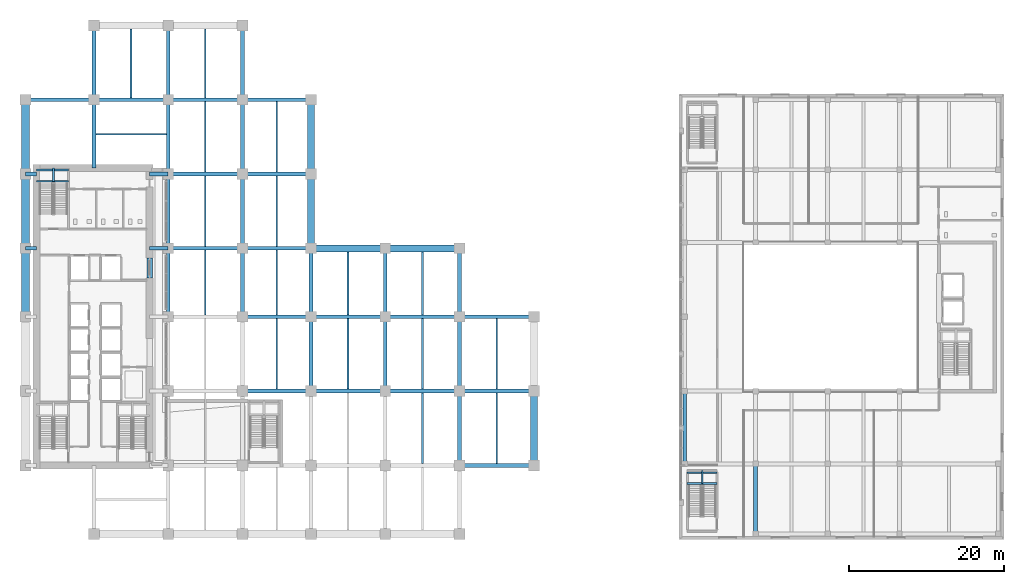
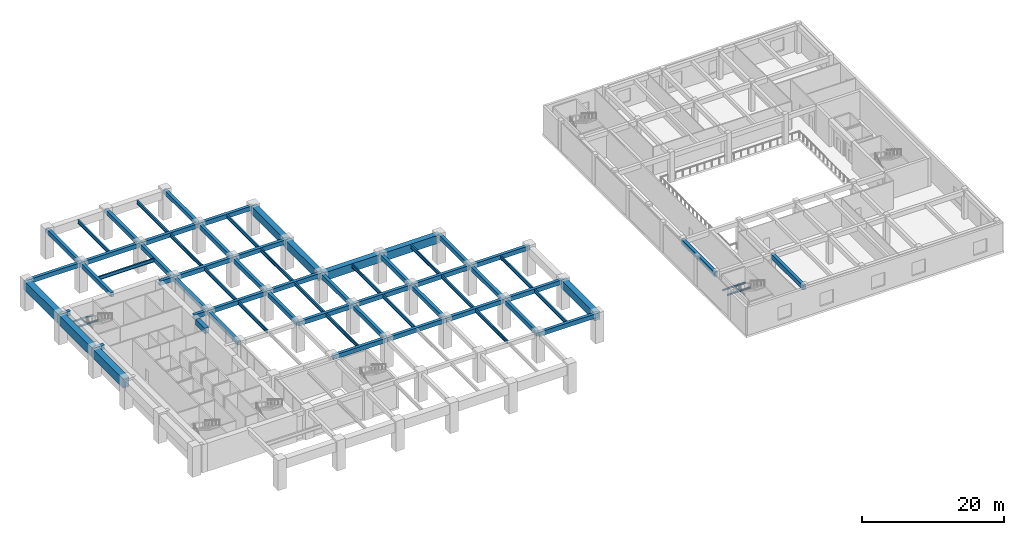
# One storey, part 2 of 22: 72 beams.
"""IFC4 building model written with IfcOpenShell, lengths in metres."""

from ifc_helpers import new_model, si_unit, direction, frame, origin, origin_2d, place, context, subcontext, project, spatial, rectangle, i_section, extrude, material, material_profile, profile_set, type_object, element, save


model = new_model("IFC4")

# Units and contexts
model_context = context("Model", 3, precision=1e-05, world=origin(), true_north=direction((0.0, 1.0)))
body_context = subcontext(model_context, "Body", "Model", "MODEL_VIEW")
ifc_project = project(units=[si_unit("LENGTHUNIT", "METRE"), si_unit("AREAUNIT", "SQUARE_METRE"), si_unit("VOLUMEUNIT", "CUBIC_METRE"), si_unit("PLANEANGLEUNIT", "RADIAN"), si_unit("MASSUNIT", "GRAM", prefix="KILO")], contexts=[model_context])

# Site, building, storey
site_placement = place(None, origin())
site = spatial("IfcSite", under=ifc_project, at=site_placement, CompositionType="ELEMENT")
building_placement = place(site_placement, origin())
building = spatial("IfcBuilding", under=site, at=building_placement, Name="Norrvale University Quadrangle", CompositionType="ELEMENT")
storey_placement = place(building_placement, frame((0.0, 0.0, 5.199951171875)))
storey = spatial("IfcBuildingStorey", under=building, at=storey_placement, Name="L01", CompositionType="ELEMENT", Elevation=5.199951171875)

# Beams
ifc_material_1 = material(Name="Concrete C80/95", Category="concrete")
ifc_material_profile_1 = material_profile(ifc_material_1, rectangle(XDim=0.699951171875, YDim=0.949951171875, at=origin_2d()), Name="Concrete C80/95")
ifc_profile_set_1 = profile_set([ifc_material_profile_1], Name="Concrete C80/95")
beam_type_1 = type_object("IfcBeamType", Name="Beam Core Link 700x950", PredefinedType="LINTEL", material=ifc_profile_set_1)
beam_1_placement = place(storey_placement, frame((16.800048828125, 33.800048828125, 4.385009765625), z_axis=(0.0, 1.0, 0.0), x_axis=(-1.0, 0.0, 0.0)))
element("IfcBeam", 1, at=beam_1_placement, inside=storey, type_object=beam_type_1, Name="Core Coupling Lintel Beam L01-2", PredefinedType="LINTEL", context=body_context, shape_type="SweptSolid", body=[
    extrude(rectangle(XDim=0.699951171875, YDim=0.949951171875, at=origin_2d()), origin(), (0.0, 0.0, 1.0), 2.599853515625),
])
ifc_material_2 = material(Name="Concrete C60/75", Category="concrete")
ifc_material_profile_2 = material_profile(ifc_material_2, rectangle(XDim=0.5, YDim=0.75, at=origin_2d()), Name="Concrete C60/75")
ifc_profile_set_2 = profile_set([ifc_material_profile_2], Name="Concrete C60/75")
beam_type_2 = type_object("IfcBeamType", Name="Beam Edge 500x750", PredefinedType="BEAM", material=ifc_profile_set_2)
beam_2_placement = place(storey_placement, frame((56.85009765625, 9.60009765625, 4.485107421875), z_axis=(1.0, 0.0, 0.0), x_axis=(0.0, 1.0, 0.0)))
element("IfcBeam", 2, at=beam_2_placement, inside=storey, type_object=beam_type_2, Name="Beam Edge 500x750 BM-L01-GX005", PredefinedType="BEAM", context=body_context, shape_type="SweptSolid", body=[
    extrude(rectangle(XDim=0.5, YDim=0.75, at=origin_2d()), origin(), (0.0, 0.0, 1.0), 9.599853515625),
])
beam_3_placement = place(storey_placement, frame((28.800048828125, 19.199951171875, 4.485107421875), z_axis=(1.0, 0.0, 0.0), x_axis=(0.0, 1.0, 0.0)))
element("IfcBeam", 3, at=beam_3_placement, inside=storey, type_object=beam_type_2, Name="Beam Edge 500x750 BM-L01-GX007", PredefinedType="BEAM", context=body_context, shape_type="SweptSolid", body=[
    extrude(rectangle(XDim=0.5, YDim=0.75, at=origin_2d()), origin(), (0.0, 0.0, 1.0), 8.849853515625),
])
for number, where, z_axis, x_axis, name in (
    (4, (37.64990234375, 19.199951171875, 4.485107421875), (1.0, 0.0, 0.0), (0.0, 1.0, 0.0), "Beam Edge 500x750 BM-L01-GX008"),
    (5, (47.25, 19.199951171875, 4.485107421875), (1.0, 0.0, 0.0), (0.0, 1.0, 0.0), "Beam Edge 500x750 BM-L01-GX009"),
):
    element("IfcBeam", number, at=place(storey_placement, frame(where, z_axis=z_axis, x_axis=x_axis)), inside=storey, type_object=beam_type_2, Name=name, PredefinedType="BEAM", context=body_context, shape_type="SweptSolid", body=[
        extrude(rectangle(XDim=0.5, YDim=0.75, at=origin_2d()), origin(), (0.0, 0.0, 1.0), 9.60009765625),
    ])
beam_4_placement = place(storey_placement, frame((56.85009765625, 19.199951171875, 4.485107421875), z_axis=(1.0, 0.0, 0.0), x_axis=(0.0, 1.0, 0.0)))
element("IfcBeam", 6, at=beam_4_placement, inside=storey, type_object=beam_type_2, Name="Beam Edge 500x750 BM-L01-GX010", PredefinedType="BEAM", context=body_context, shape_type="SweptSolid", body=[
    extrude(rectangle(XDim=0.5, YDim=0.75, at=origin_2d()), origin(), (0.0, 0.0, 1.0), 9.599853515625),
])
beam_5_placement = place(storey_placement, frame((28.800048828125, 28.800048828125, 4.485107421875), z_axis=(1.0, 0.0, 0.0), x_axis=(0.0, 1.0, 0.0)))
element("IfcBeam", 7, at=beam_5_placement, inside=storey, type_object=beam_type_2, Name="Beam Edge 500x750 BM-L01-GX012", PredefinedType="BEAM", context=body_context, shape_type="SweptSolid", body=[
    extrude(rectangle(XDim=0.5, YDim=0.75, at=origin_2d()), origin(), (0.0, 0.0, 1.0), 8.849853515625),
])
for number, where, z_axis, x_axis, name in (
    (8, (37.64990234375, 28.800048828125, 4.485107421875), (1.0, 0.0, 0.0), (0.0, 1.0, 0.0), "Beam Edge 500x750 BM-L01-GX013"),
    (9, (47.25, 28.800048828125, 4.485107421875), (1.0, 0.0, 0.0), (0.0, 1.0, 0.0), "Beam Edge 500x750 BM-L01-GX014"),
):
    element("IfcBeam", number, at=place(storey_placement, frame(where, z_axis=z_axis, x_axis=x_axis)), inside=storey, type_object=beam_type_2, Name=name, PredefinedType="BEAM", context=body_context, shape_type="SweptSolid", body=[
        extrude(rectangle(XDim=0.5, YDim=0.75, at=origin_2d()), origin(), (0.0, 0.0, 1.0), 9.60009765625),
    ])
beam_6_placement = place(storey_placement, frame((56.85009765625, 28.800048828125, 4.485107421875), z_axis=(1.0, 0.0, 0.0), x_axis=(0.0, 1.0, 0.0)))
element("IfcBeam", 10, at=beam_6_placement, inside=storey, type_object=beam_type_2, Name="Beam Edge 500x750 BM-L01-GX015", PredefinedType="BEAM", context=body_context, shape_type="SweptSolid", body=[
    extrude(rectangle(XDim=0.5, YDim=0.75, at=origin_2d()), origin(), (0.0, 0.0, 1.0), 9.599853515625),
])
beam_7_placement = place(storey_placement, frame((19.199951171875, 37.64990234375, 4.485107421875), z_axis=(1.0, 0.0, 0.0), x_axis=(0.0, 1.0, 0.0)))
element("IfcBeam", 11, at=beam_7_placement, inside=storey, type_object=beam_type_2, Name="Beam Edge 500x750 BM-L01-GX016", PredefinedType="BEAM", context=body_context, shape_type="SweptSolid", body=[
    extrude(rectangle(XDim=0.5, YDim=0.75, at=origin_2d()), origin(), (0.0, 0.0, 1.0), 9.60009765625),
])
beam_8_placement = place(storey_placement, frame((28.800048828125, 37.64990234375, 4.485107421875), z_axis=(1.0, 0.0, 0.0), x_axis=(0.0, 1.0, 0.0)))
element("IfcBeam", 12, at=beam_8_placement, inside=storey, type_object=beam_type_2, Name="Beam Edge 500x750 BM-L01-GX017", PredefinedType="BEAM", context=body_context, shape_type="SweptSolid", body=[
    extrude(rectangle(XDim=0.5, YDim=0.75, at=origin_2d()), origin(), (0.0, 0.0, 1.0), 8.849853515625),
])
beam_9_placement = place(storey_placement, frame((19.199951171875, 47.25, 4.485107421875), z_axis=(1.0, 0.0, 0.0), x_axis=(0.0, 1.0, 0.0)))
element("IfcBeam", 13, at=beam_9_placement, inside=storey, type_object=beam_type_2, Name="Beam Edge 500x750 BM-L01-GX018", PredefinedType="BEAM", context=body_context, shape_type="SweptSolid", body=[
    extrude(rectangle(XDim=0.5, YDim=0.75, at=origin_2d()), origin(), (0.0, 0.0, 1.0), 9.60009765625),
])
beam_10_placement = place(storey_placement, frame((28.800048828125, 47.25, 4.485107421875), z_axis=(1.0, 0.0, 0.0), x_axis=(0.0, 1.0, 0.0)))
element("IfcBeam", 14, at=beam_10_placement, inside=storey, type_object=beam_type_2, Name="Beam Edge 500x750 BM-L01-GX019", PredefinedType="BEAM", context=body_context, shape_type="SweptSolid", body=[
    extrude(rectangle(XDim=0.5, YDim=0.75, at=origin_2d()), origin(), (0.0, 0.0, 1.0), 8.849853515625),
])
beam_11_placement = place(storey_placement, frame((0.75, 56.85009765625, 4.485107421875), z_axis=(1.0, 0.0, 0.0), x_axis=(0.0, 1.0, 0.0)))
element("IfcBeam", 15, at=beam_11_placement, inside=storey, type_object=beam_type_2, Name="Beam Edge 500x750 BM-L01-GX020", PredefinedType="BEAM", context=body_context, shape_type="SweptSolid", body=[
    extrude(rectangle(XDim=0.5, YDim=0.75, at=origin_2d()), origin(), (0.0, 0.0, 1.0), 8.85009765625),
])
beam_12_placement = place(storey_placement, frame((9.60009765625, 56.85009765625, 4.485107421875), z_axis=(1.0, 0.0, 0.0), x_axis=(0.0, 1.0, 0.0)))
element("IfcBeam", 16, at=beam_12_placement, inside=storey, type_object=beam_type_2, Name="Beam Edge 500x750 BM-L01-GX021", PredefinedType="BEAM", context=body_context, shape_type="SweptSolid", body=[
    extrude(rectangle(XDim=0.5, YDim=0.75, at=origin_2d()), origin(), (0.0, 0.0, 1.0), 9.599853515625),
])
beam_13_placement = place(storey_placement, frame((19.199951171875, 56.85009765625, 4.485107421875), z_axis=(1.0, 0.0, 0.0), x_axis=(0.0, 1.0, 0.0)))
element("IfcBeam", 17, at=beam_13_placement, inside=storey, type_object=beam_type_2, Name="Beam Edge 500x750 BM-L01-GX022", PredefinedType="BEAM", context=body_context, shape_type="SweptSolid", body=[
    extrude(rectangle(XDim=0.5, YDim=0.75, at=origin_2d()), origin(), (0.0, 0.0, 1.0), 9.60009765625),
])
beam_14_placement = place(storey_placement, frame((28.800048828125, 56.85009765625, 4.485107421875), z_axis=(1.0, 0.0, 0.0), x_axis=(0.0, 1.0, 0.0)))
element("IfcBeam", 18, at=beam_14_placement, inside=storey, type_object=beam_type_2, Name="Beam Edge 500x750 BM-L01-GX023", PredefinedType="BEAM", context=body_context, shape_type="SweptSolid", body=[
    extrude(rectangle(XDim=0.5, YDim=0.75, at=origin_2d()), origin(), (0.0, 0.0, 1.0), 8.849853515625),
])
beam_15_placement = place(storey_placement, frame((9.60009765625, 56.85009765625, 4.485107421875), z_axis=(0.0, 1.0, 0.0), x_axis=(-1.0, 0.0, 0.0)))
element("IfcBeam", 19, at=beam_15_placement, inside=storey, type_object=beam_type_2, Name="Beam Edge 500x750 BM-L01-GY024", PredefinedType="BEAM", context=body_context, shape_type="SweptSolid", body=[
    extrude(rectangle(XDim=0.5, YDim=0.75, at=origin_2d()), origin(), (0.0, 0.0, 1.0), 9.599853515625),
])
beam_16_placement = place(storey_placement, frame((19.199951171875, 28.800048828125, 4.485107421875), z_axis=(0.0, 1.0, 0.0), x_axis=(-1.0, 0.0, 0.0)))
element("IfcBeam", 20, at=beam_16_placement, inside=storey, type_object=beam_type_2, Name="Beam Edge 500x750 BM-L01-GY028", PredefinedType="BEAM", context=body_context, shape_type="SweptSolid", body=[
    extrude(rectangle(XDim=0.5, YDim=0.75, at=origin_2d()), origin(), (0.0, 0.0, 1.0), 8.849853515625),
])
for number, where, z_axis, x_axis, name in (
    (21, (19.199951171875, 37.64990234375, 4.485107421875), (0.0, 1.0, 0.0), (-1.0, 0.0, 0.0), "Beam Edge 500x750 BM-L01-GY029"),
    (22, (19.199951171875, 47.25, 4.485107421875), (0.0, 1.0, 0.0), (-1.0, 0.0, 0.0), "Beam Edge 500x750 BM-L01-GY030"),
):
    element("IfcBeam", number, at=place(storey_placement, frame(where, z_axis=z_axis, x_axis=x_axis)), inside=storey, type_object=beam_type_2, Name=name, PredefinedType="BEAM", context=body_context, shape_type="SweptSolid", body=[
        extrude(rectangle(XDim=0.5, YDim=0.75, at=origin_2d()), origin(), (0.0, 0.0, 1.0), 9.60009765625),
    ])
beam_17_placement = place(storey_placement, frame((19.199951171875, 56.85009765625, 4.485107421875), z_axis=(0.0, 1.0, 0.0), x_axis=(-1.0, 0.0, 0.0)))
element("IfcBeam", 23, at=beam_17_placement, inside=storey, type_object=beam_type_2, Name="Beam Edge 500x750 BM-L01-GY031", PredefinedType="BEAM", context=body_context, shape_type="SweptSolid", body=[
    extrude(rectangle(XDim=0.5, YDim=0.75, at=origin_2d()), origin(), (0.0, 0.0, 1.0), 9.599853515625),
])
beam_18_placement = place(storey_placement, frame((28.800048828125, 28.800048828125, 4.485107421875), z_axis=(0.0, 1.0, 0.0), x_axis=(-1.0, 0.0, 0.0)))
element("IfcBeam", 24, at=beam_18_placement, inside=storey, type_object=beam_type_2, Name="Beam Edge 500x750 BM-L01-GY035", PredefinedType="BEAM", context=body_context, shape_type="SweptSolid", body=[
    extrude(rectangle(XDim=0.5, YDim=0.75, at=origin_2d()), origin(), (0.0, 0.0, 1.0), 8.849853515625),
])
for number, where, z_axis, x_axis, name in (
    (25, (28.800048828125, 37.64990234375, 4.485107421875), (0.0, 1.0, 0.0), (-1.0, 0.0, 0.0), "Beam Edge 500x750 BM-L01-GY036"),
    (26, (28.800048828125, 47.25, 4.485107421875), (0.0, 1.0, 0.0), (-1.0, 0.0, 0.0), "Beam Edge 500x750 BM-L01-GY037"),
):
    element("IfcBeam", number, at=place(storey_placement, frame(where, z_axis=z_axis, x_axis=x_axis)), inside=storey, type_object=beam_type_2, Name=name, PredefinedType="BEAM", context=body_context, shape_type="SweptSolid", body=[
        extrude(rectangle(XDim=0.5, YDim=0.75, at=origin_2d()), origin(), (0.0, 0.0, 1.0), 9.60009765625),
    ])
beam_19_placement = place(storey_placement, frame((28.800048828125, 56.85009765625, 4.485107421875), z_axis=(0.0, 1.0, 0.0), x_axis=(-1.0, 0.0, 0.0)))
element("IfcBeam", 27, at=beam_19_placement, inside=storey, type_object=beam_type_2, Name="Beam Edge 500x750 BM-L01-GY038", PredefinedType="BEAM", context=body_context, shape_type="SweptSolid", body=[
    extrude(rectangle(XDim=0.5, YDim=0.75, at=origin_2d()), origin(), (0.0, 0.0, 1.0), 9.599853515625),
])
beam_20_placement = place(storey_placement, frame((37.64990234375, 19.199951171875, 4.485107421875), z_axis=(0.0, 1.0, 0.0), x_axis=(-1.0, 0.0, 0.0)))
element("IfcBeam", 28, at=beam_20_placement, inside=storey, type_object=beam_type_2, Name="Beam Edge 500x750 BM-L01-GY041", PredefinedType="BEAM", context=body_context, shape_type="SweptSolid", body=[
    extrude(rectangle(XDim=0.5, YDim=0.75, at=origin_2d()), origin(), (0.0, 0.0, 1.0), 9.60009765625),
])
beam_21_placement = place(storey_placement, frame((37.64990234375, 28.800048828125, 4.485107421875), z_axis=(0.0, 1.0, 0.0), x_axis=(-1.0, 0.0, 0.0)))
element("IfcBeam", 29, at=beam_21_placement, inside=storey, type_object=beam_type_2, Name="Beam Edge 500x750 BM-L01-GY042", PredefinedType="BEAM", context=body_context, shape_type="SweptSolid", body=[
    extrude(rectangle(XDim=0.5, YDim=0.75, at=origin_2d()), origin(), (0.0, 0.0, 1.0), 8.849853515625),
])
beam_22_placement = place(storey_placement, frame((47.25, 19.199951171875, 4.485107421875), z_axis=(0.0, 1.0, 0.0), x_axis=(-1.0, 0.0, 0.0)))
element("IfcBeam", 30, at=beam_22_placement, inside=storey, type_object=beam_type_2, Name="Beam Edge 500x750 BM-L01-GY045", PredefinedType="BEAM", context=body_context, shape_type="SweptSolid", body=[
    extrude(rectangle(XDim=0.5, YDim=0.75, at=origin_2d()), origin(), (0.0, 0.0, 1.0), 9.60009765625),
])
beam_23_placement = place(storey_placement, frame((47.25, 28.800048828125, 4.485107421875), z_axis=(0.0, 1.0, 0.0), x_axis=(-1.0, 0.0, 0.0)))
element("IfcBeam", 31, at=beam_23_placement, inside=storey, type_object=beam_type_2, Name="Beam Edge 500x750 BM-L01-GY046", PredefinedType="BEAM", context=body_context, shape_type="SweptSolid", body=[
    extrude(rectangle(XDim=0.5, YDim=0.75, at=origin_2d()), origin(), (0.0, 0.0, 1.0), 8.849853515625),
])
beam_24_placement = place(storey_placement, frame((56.85009765625, 9.60009765625, 4.485107421875), z_axis=(0.0, 1.0, 0.0), x_axis=(-1.0, 0.0, 0.0)))
element("IfcBeam", 32, at=beam_24_placement, inside=storey, type_object=beam_type_2, Name="Beam Edge 500x750 BM-L01-GY048", PredefinedType="BEAM", context=body_context, shape_type="SweptSolid", body=[
    extrude(rectangle(XDim=0.5, YDim=0.75, at=origin_2d()), origin(), (0.0, 0.0, 1.0), 9.599853515625),
])
beam_25_placement = place(storey_placement, frame((56.85009765625, 19.199951171875, 4.485107421875), z_axis=(0.0, 1.0, 0.0), x_axis=(-1.0, 0.0, 0.0)))
element("IfcBeam", 33, at=beam_25_placement, inside=storey, type_object=beam_type_2, Name="Beam Edge 500x750 BM-L01-GY049", PredefinedType="BEAM", context=body_context, shape_type="SweptSolid", body=[
    extrude(rectangle(XDim=0.5, YDim=0.75, at=origin_2d()), origin(), (0.0, 0.0, 1.0), 9.60009765625),
])
beam_26_placement = place(storey_placement, frame((56.85009765625, 28.800048828125, 4.485107421875), z_axis=(0.0, 1.0, 0.0), x_axis=(-1.0, 0.0, 0.0)))
element("IfcBeam", 34, at=beam_26_placement, inside=storey, type_object=beam_type_2, Name="Beam Edge 500x750 BM-L01-GY050", PredefinedType="BEAM", context=body_context, shape_type="SweptSolid", body=[
    extrude(rectangle(XDim=0.5, YDim=0.75, at=origin_2d()), origin(), (0.0, 0.0, 1.0), 8.849853515625),
])
beam_27_placement = place(storey_placement, frame((0.75, 37.64990234375, 4.485107421875), z_axis=(1.0, 0.0, 0.0), x_axis=(0.0, 1.0, 0.0)))
element("IfcBeam", 35, at=beam_27_placement, inside=storey, type_object=beam_type_2, Name="Beam Edge 500x750 BM-L01-GCW057", PredefinedType="BEAM", context=body_context, shape_type="SweptSolid", body=[
    extrude(rectangle(XDim=0.5, YDim=0.75, at=origin_2d()), origin(), (0.0, 0.0, 1.0), 1.449951171875),
])
beam_28_placement = place(storey_placement, frame((16.800048828125, 37.64990234375, 4.485107421875), z_axis=(1.0, 0.0, 0.0), x_axis=(0.0, 1.0, 0.0)))
element("IfcBeam", 36, at=beam_28_placement, inside=storey, type_object=beam_type_2, Name="Beam Edge 500x750 BM-L01-GCE058", PredefinedType="BEAM", context=body_context, shape_type="SweptSolid", body=[
    extrude(rectangle(XDim=0.5, YDim=0.75, at=origin_2d()), origin(), (0.0, 0.0, 1.0), 2.39990234375),
])
beam_29_placement = place(storey_placement, frame((0.75, 47.25, 4.485107421875), z_axis=(1.0, 0.0, 0.0), x_axis=(0.0, 1.0, 0.0)))
element("IfcBeam", 37, at=beam_29_placement, inside=storey, type_object=beam_type_2, Name="Beam Edge 500x750 BM-L01-GCW059", PredefinedType="BEAM", context=body_context, shape_type="SweptSolid", body=[
    extrude(rectangle(XDim=0.5, YDim=0.75, at=origin_2d()), origin(), (0.0, 0.0, 1.0), 1.449951171875),
])
beam_30_placement = place(storey_placement, frame((16.800048828125, 47.25, 4.485107421875), z_axis=(1.0, 0.0, 0.0), x_axis=(0.0, 1.0, 0.0)))
element("IfcBeam", 38, at=beam_30_placement, inside=storey, type_object=beam_type_2, Name="Beam Edge 500x750 BM-L01-GCE060", PredefinedType="BEAM", context=body_context, shape_type="SweptSolid", body=[
    extrude(rectangle(XDim=0.5, YDim=0.75, at=origin_2d()), origin(), (0.0, 0.0, 1.0), 2.39990234375),
])
beam_31_placement = place(storey_placement, frame((9.60009765625, 48.0, 4.485107421875), z_axis=(0.0, 1.0, 0.0), x_axis=(-1.0, 0.0, 0.0)))
element("IfcBeam", 39, at=beam_31_placement, inside=storey, type_object=beam_type_2, Name="Beam Edge 500x750 BM-L01-GCN086", PredefinedType="BEAM", context=body_context, shape_type="SweptSolid", body=[
    extrude(rectangle(XDim=0.5, YDim=0.75, at=origin_2d()), origin(), (0.0, 0.0, 1.0), 8.85009765625),
])
ifc_material_3 = material(Name="Steel 350W", Category="steel")
ifc_material_profile_3 = material_profile(ifc_material_3, i_section(OverallWidth=0.22998046875, OverallDepth=0.616943359375, WebThickness=0.01318359375, FlangeThickness=0.022216796875, FilletRadius=0.01611328125, at=origin_2d()), Name="Steel 350W")
ifc_profile_set_3 = profile_set([ifc_material_profile_3], Name="Steel 350W")
beam_type_3 = type_object("IfcBeamType", Name="Beam Floor W610x140", PredefinedType="BEAM", material=ifc_profile_set_3)
beam_32_placement = place(storey_placement, frame((14.39990234375, 57.10009765625, 4.551513671875), z_axis=(0.0, 1.0, 0.0), x_axis=(-1.0, 0.0, 0.0)))
element("IfcBeam", 40, at=beam_32_placement, inside=storey, type_object=beam_type_3, Name="Beam Floor W610x140 BM-L01-J061", PredefinedType="BEAM", context=body_context, shape_type="SweptSolid", body=[
    extrude(i_section(OverallWidth=0.22998046875, OverallDepth=0.616943359375, WebThickness=0.01318359375, FlangeThickness=0.022216796875, FilletRadius=0.01611328125, at=origin_2d()), origin(), (0.0, 0.0, 1.0), 8.89990234375),
])
beam_33_placement = place(storey_placement, frame((24.0, 29.050048828125, 4.551513671875), z_axis=(0.0, 1.0, 0.0), x_axis=(-1.0, 0.0, 0.0)))
element("IfcBeam", 41, at=beam_33_placement, inside=storey, type_object=beam_type_3, Name="Beam Floor W610x140 BM-L01-J065", PredefinedType="BEAM", context=body_context, shape_type="SweptSolid", body=[
    extrude(i_section(OverallWidth=0.22998046875, OverallDepth=0.616943359375, WebThickness=0.01318359375, FlangeThickness=0.022216796875, FilletRadius=0.01611328125, at=origin_2d()), origin(), (0.0, 0.0, 1.0), 8.349853515625),
])
for number, where, z_axis, x_axis, name in (
    (42, (24.0, 37.89990234375, 4.551513671875), (0.0, 1.0, 0.0), (-1.0, 0.0, 0.0), "Beam Floor W610x140 BM-L01-J066"),
    (43, (24.0, 47.5, 4.551513671875), (0.0, 1.0, 0.0), (-1.0, 0.0, 0.0), "Beam Floor W610x140 BM-L01-J067"),
):
    element("IfcBeam", number, at=place(storey_placement, frame(where, z_axis=z_axis, x_axis=x_axis)), inside=storey, type_object=beam_type_3, Name=name, PredefinedType="BEAM", context=body_context, shape_type="SweptSolid", body=[
        extrude(i_section(OverallWidth=0.22998046875, OverallDepth=0.616943359375, WebThickness=0.01318359375, FlangeThickness=0.022216796875, FilletRadius=0.01611328125, at=origin_2d()), origin(), (0.0, 0.0, 1.0), 9.10009765625),
    ])
beam_34_placement = place(storey_placement, frame((24.0, 57.10009765625, 4.551513671875), z_axis=(0.0, 1.0, 0.0), x_axis=(-1.0, 0.0, 0.0)))
element("IfcBeam", 44, at=beam_34_placement, inside=storey, type_object=beam_type_3, Name="Beam Floor W610x140 BM-L01-J068", PredefinedType="BEAM", context=body_context, shape_type="SweptSolid", body=[
    extrude(i_section(OverallWidth=0.22998046875, OverallDepth=0.616943359375, WebThickness=0.01318359375, FlangeThickness=0.022216796875, FilletRadius=0.01611328125, at=origin_2d()), origin(), (0.0, 0.0, 1.0), 8.89990234375),
])
beam_35_placement = place(storey_placement, frame((33.22509765625, 19.449951171875, 4.551513671875), z_axis=(0.0, 1.0, 0.0), x_axis=(-1.0, 0.0, 0.0)))
element("IfcBeam", 45, at=beam_35_placement, inside=storey, type_object=beam_type_3, Name="Beam Floor W610x140 BM-L01-J070", PredefinedType="BEAM", context=body_context, shape_type="SweptSolid", body=[
    extrude(i_section(OverallWidth=0.22998046875, OverallDepth=0.616943359375, WebThickness=0.01318359375, FlangeThickness=0.022216796875, FilletRadius=0.01611328125, at=origin_2d()), origin(), (0.0, 0.0, 1.0), 9.10009765625),
])
beam_36_placement = place(storey_placement, frame((33.22509765625, 29.050048828125, 4.551513671875), z_axis=(0.0, 1.0, 0.0), x_axis=(-1.0, 0.0, 0.0)))
element("IfcBeam", 46, at=beam_36_placement, inside=storey, type_object=beam_type_3, Name="Beam Floor W610x140 BM-L01-J071", PredefinedType="BEAM", context=body_context, shape_type="SweptSolid", body=[
    extrude(i_section(OverallWidth=0.22998046875, OverallDepth=0.616943359375, WebThickness=0.01318359375, FlangeThickness=0.022216796875, FilletRadius=0.01611328125, at=origin_2d()), origin(), (0.0, 0.0, 1.0), 8.349853515625),
])
for number, where, z_axis, x_axis, name in (
    (47, (33.22509765625, 37.89990234375, 4.551513671875), (0.0, 1.0, 0.0), (-1.0, 0.0, 0.0), "Beam Floor W610x140 BM-L01-J072"),
    (48, (33.22509765625, 47.5, 4.551513671875), (0.0, 1.0, 0.0), (-1.0, 0.0, 0.0), "Beam Floor W610x140 BM-L01-J073"),
    (49, (42.449951171875, 19.449951171875, 4.551513671875), (0.0, 1.0, 0.0), (-1.0, 0.0, 0.0), "Beam Floor W610x140 BM-L01-J076"),
):
    element("IfcBeam", number, at=place(storey_placement, frame(where, z_axis=z_axis, x_axis=x_axis)), inside=storey, type_object=beam_type_3, Name=name, PredefinedType="BEAM", context=body_context, shape_type="SweptSolid", body=[
        extrude(i_section(OverallWidth=0.22998046875, OverallDepth=0.616943359375, WebThickness=0.01318359375, FlangeThickness=0.022216796875, FilletRadius=0.01611328125, at=origin_2d()), origin(), (0.0, 0.0, 1.0), 9.10009765625),
    ])
beam_37_placement = place(storey_placement, frame((42.449951171875, 29.050048828125, 4.551513671875), z_axis=(0.0, 1.0, 0.0), x_axis=(-1.0, 0.0, 0.0)))
element("IfcBeam", 50, at=beam_37_placement, inside=storey, type_object=beam_type_3, Name="Beam Floor W610x140 BM-L01-J077", PredefinedType="BEAM", context=body_context, shape_type="SweptSolid", body=[
    extrude(i_section(OverallWidth=0.22998046875, OverallDepth=0.616943359375, WebThickness=0.01318359375, FlangeThickness=0.022216796875, FilletRadius=0.01611328125, at=origin_2d()), origin(), (0.0, 0.0, 1.0), 8.14990234375),
])
beam_38_placement = place(storey_placement, frame((52.050048828125, 9.85009765625, 4.551513671875), z_axis=(0.0, 1.0, 0.0), x_axis=(-1.0, 0.0, 0.0)))
element("IfcBeam", 51, at=beam_38_placement, inside=storey, type_object=beam_type_3, Name="Beam Floor W610x140 BM-L01-J079", PredefinedType="BEAM", context=body_context, shape_type="SweptSolid", body=[
    extrude(i_section(OverallWidth=0.22998046875, OverallDepth=0.616943359375, WebThickness=0.01318359375, FlangeThickness=0.022216796875, FilletRadius=0.01611328125, at=origin_2d()), origin(), (0.0, 0.0, 1.0), 9.099853515625),
])
beam_39_placement = place(storey_placement, frame((52.050048828125, 19.449951171875, 4.551513671875), z_axis=(0.0, 1.0, 0.0), x_axis=(-1.0, 0.0, 0.0)))
element("IfcBeam", 52, at=beam_39_placement, inside=storey, type_object=beam_type_3, Name="Beam Floor W610x140 BM-L01-J080", PredefinedType="BEAM", context=body_context, shape_type="SweptSolid", body=[
    extrude(i_section(OverallWidth=0.22998046875, OverallDepth=0.616943359375, WebThickness=0.01318359375, FlangeThickness=0.022216796875, FilletRadius=0.01611328125, at=origin_2d()), origin(), (0.0, 0.0, 1.0), 9.10009765625),
])
beam_40_placement = place(storey_placement, frame((52.050048828125, 29.050048828125, 4.551513671875), z_axis=(0.0, 1.0, 0.0), x_axis=(-1.0, 0.0, 0.0)))
element("IfcBeam", 53, at=beam_40_placement, inside=storey, type_object=beam_type_3, Name="Beam Floor W610x140 BM-L01-J081", PredefinedType="BEAM", context=body_context, shape_type="SweptSolid", body=[
    extrude(i_section(OverallWidth=0.22998046875, OverallDepth=0.616943359375, WebThickness=0.01318359375, FlangeThickness=0.022216796875, FilletRadius=0.01611328125, at=origin_2d()), origin(), (0.0, 0.0, 1.0), 8.14990234375),
])
beam_41_placement = place(storey_placement, frame((61.64990234375, 9.85009765625, 4.551513671875), z_axis=(0.0, 1.0, 0.0), x_axis=(-1.0, 0.0, 0.0)))
element("IfcBeam", 54, at=beam_41_placement, inside=storey, type_object=beam_type_3, Name="Beam Floor W610x140 BM-L01-J082", PredefinedType="BEAM", context=body_context, shape_type="SweptSolid", body=[
    extrude(i_section(OverallWidth=0.22998046875, OverallDepth=0.616943359375, WebThickness=0.01318359375, FlangeThickness=0.022216796875, FilletRadius=0.01611328125, at=origin_2d()), origin(), (0.0, 0.0, 1.0), 9.099853515625),
])
beam_42_placement = place(storey_placement, frame((61.64990234375, 19.449951171875, 4.551513671875), z_axis=(0.0, 1.0, 0.0), x_axis=(-1.0, 0.0, 0.0)))
element("IfcBeam", 55, at=beam_42_placement, inside=storey, type_object=beam_type_3, Name="Beam Floor W610x140 BM-L01-J083", PredefinedType="BEAM", context=body_context, shape_type="SweptSolid", body=[
    extrude(i_section(OverallWidth=0.22998046875, OverallDepth=0.616943359375, WebThickness=0.01318359375, FlangeThickness=0.022216796875, FilletRadius=0.01611328125, at=origin_2d()), origin(), (0.0, 0.0, 1.0), 9.10009765625),
])
beam_43_placement = place(storey_placement, frame((9.85009765625, 52.39990234375, 4.551513671875), z_axis=(1.0, 0.0, 0.0), x_axis=(0.0, 1.0, 0.0)))
element("IfcBeam", 56, at=beam_43_placement, inside=storey, type_object=beam_type_3, Name="Beam Floor W610x140 BM-L01-JCN087", PredefinedType="BEAM", context=body_context, shape_type="SweptSolid", body=[
    extrude(i_section(OverallWidth=0.22998046875, OverallDepth=0.616943359375, WebThickness=0.01318359375, FlangeThickness=0.022216796875, FilletRadius=0.01611328125, at=origin_2d()), origin(), (0.0, 0.0, 1.0), 9.099853515625),
])
ifc_material_profile_4 = material_profile(ifc_material_2, rectangle(XDim=0.5, YDim=0.800048828125, at=origin_2d()), Name="Concrete C60/75")
ifc_profile_set_4 = profile_set([ifc_material_profile_4], Name="Concrete C60/75")
beam_type_4 = type_object("IfcBeamType", Name="Beam Lib 500x800", PredefinedType="BEAM", material=ifc_profile_set_4)
beam_44_placement = place(storey_placement, frame((85.949951171875, 9.800048828125, 4.449951171875), z_axis=(0.0, 1.0, 0.0), x_axis=(-1.0, 0.0, 0.0)))
element("IfcBeam", 57, at=beam_44_placement, inside=storey, type_object=beam_type_4, Name="Beam Lib 500x800 BM-L01-LGY021", PredefinedType="BEAM", context=body_context, shape_type="SweptSolid", body=[
    extrude(rectangle(XDim=0.5, YDim=0.800048828125, at=origin_2d()), origin(), (0.0, 0.0, 1.0), 9.39990234375),
])
beam_45_placement = place(storey_placement, frame((95.10009765625, 0.75, 4.449951171875), z_axis=(0.0, 1.0, 0.0), x_axis=(-1.0, 0.0, 0.0)))
element("IfcBeam", 58, at=beam_45_placement, inside=storey, type_object=beam_type_4, Name="Beam Lib 500x800 BM-L01-LGY025", PredefinedType="BEAM", context=body_context, shape_type="SweptSolid", body=[
    extrude(rectangle(XDim=0.5, YDim=0.800048828125, at=origin_2d()), origin(), (0.0, 0.0, 1.0), 9.050048828125),
])
ifc_material_profile_5 = material_profile(ifc_material_3, i_section(OverallWidth=0.201904296875, OverallDepth=0.2470703125, WebThickness=0.00732421875, FlangeThickness=0.010986328125, FilletRadius=0.011962890625, at=origin_2d()), Name="Steel 350W")
ifc_profile_set_5 = profile_set([ifc_material_profile_5], Name="Steel 350W")
beam_type_5 = type_object("IfcBeamType", Name="Beam Stair W250x49", PredefinedType="BEAM", material=ifc_profile_set_5)
for number, where, z_axis, x_axis, name in (
    (59, (2.199951171875, 46.31005859375, 2.276611328125), (1.0, 0.0, 0.0), (0.0, 1.0, 0.0), "Stair Mid-Landing Front Beam ST-02 L01"),
    (60, (2.199951171875, 47.77001953125, 2.276611328125), (1.0, 0.0, 0.0), (0.0, 1.0, 0.0), "Stair Mid-Landing Rear Beam ST-02 L01"),
):
    element("IfcBeam", number, at=place(storey_placement, frame(where, z_axis=z_axis, x_axis=x_axis)), inside=storey, type_object=beam_type_5, Name=name, PredefinedType="BEAM", context=body_context, shape_type="SweptSolid", body=[
        extrude(i_section(OverallWidth=0.201904296875, OverallDepth=0.2470703125, WebThickness=0.00732421875, FlangeThickness=0.010986328125, FilletRadius=0.011962890625, at=origin_2d()), origin(), (0.0, 0.0, 1.0), 4.14013671875),
    ])
for number, where, z_axis, x_axis, name in (
    (61, (86.260009765625, 7.260009765625, 2.276611328125), (1.0, 0.0, 0.0), (0.0, 1.0, 0.0), "Stair Mid-Landing Front Beam ST-L2 L01"),
    (62, (86.260009765625, 8.6201171875, 2.276611328125), (1.0, 0.0, 0.0), (0.0, 1.0, 0.0), "Stair Mid-Landing Rear Beam ST-L2 L01"),
):
    element("IfcBeam", number, at=place(storey_placement, frame(where, z_axis=z_axis, x_axis=x_axis)), inside=storey, type_object=beam_type_5, Name=name, PredefinedType="BEAM", context=body_context, shape_type="SweptSolid", body=[
        extrude(i_section(OverallWidth=0.201904296875, OverallDepth=0.2470703125, WebThickness=0.00732421875, FlangeThickness=0.010986328125, FilletRadius=0.011962890625, at=origin_2d()), origin(), (0.0, 0.0, 1.0), 3.8798828125),
    ])
ifc_material_profile_6 = material_profile(ifc_material_1, rectangle(XDim=1.0, YDim=1.60009765625, at=origin_2d()), Name="Concrete C80/95")
ifc_profile_set_6 = profile_set([ifc_material_profile_6], Name="Concrete C80/95")
beam_type_6 = type_object("IfcBeamType", Name="Beam Transfer 1000x1600", PredefinedType="USERDEFINED", material=ifc_profile_set_6)
beam_46_placement = place(storey_placement, frame((0.75, 28.800048828125, 4.06005859375), z_axis=(0.0, 1.0, 0.0), x_axis=(-1.0, 0.0, 0.0)))
element("IfcBeam", 63, at=beam_46_placement, inside=storey, type_object=beam_type_6, Name="Setback Transfer Girder L01-03", ObjectType="TRANSFER GIRDER", PredefinedType="USERDEFINED", context=body_context, shape_type="SweptSolid", body=[
    extrude(rectangle(XDim=1.0, YDim=1.60009765625, at=origin_2d()), origin(), (0.0, 0.0, 1.0), 8.849853515625),
])
for number, where, z_axis, x_axis, name in (
    (64, (0.75, 37.64990234375, 4.06005859375), (0.0, 1.0, 0.0), (-1.0, 0.0, 0.0), "Setback Transfer Girder L01-04"),
    (65, (0.75, 47.25, 4.06005859375), (0.0, 1.0, 0.0), (-1.0, 0.0, 0.0), "Setback Transfer Girder L01-05"),
):
    element("IfcBeam", number, at=place(storey_placement, frame(where, z_axis=z_axis, x_axis=x_axis)), inside=storey, type_object=beam_type_6, Name=name, ObjectType="TRANSFER GIRDER", PredefinedType="USERDEFINED", context=body_context, shape_type="SweptSolid", body=[
        extrude(rectangle(XDim=1.0, YDim=1.60009765625, at=origin_2d()), origin(), (0.0, 0.0, 1.0), 9.60009765625),
    ])
ifc_material_profile_7 = material_profile(ifc_material_2, rectangle(XDim=0.89990234375, YDim=1.39990234375, at=origin_2d()), Name="Concrete C60/75")
ifc_profile_set_7 = profile_set([ifc_material_profile_7], Name="Concrete C60/75")
beam_type_7 = type_object("IfcBeamType", Name="Beam Transfer 900x1400", PredefinedType="USERDEFINED", material=ifc_profile_set_7)
beam_47_placement = place(storey_placement, frame((66.449951171875, 9.60009765625, 4.16015625), z_axis=(0.0, 1.0, 0.0), x_axis=(-1.0, 0.0, 0.0)))
element("IfcBeam", 66, at=beam_47_placement, inside=storey, type_object=beam_type_7, Name="Setback Transfer Girder L01-11", ObjectType="TRANSFER GIRDER", PredefinedType="USERDEFINED", context=body_context, shape_type="SweptSolid", body=[
    extrude(rectangle(XDim=0.89990234375, YDim=1.39990234375, at=origin_2d()), origin(), (0.0, 0.0, 1.0), 9.599853515625),
])
for number, where, z_axis, x_axis, name in (
    (67, (37.64990234375, 37.64990234375, 4.16015625), (0.0, 1.0, 0.0), (-1.0, 0.0, 0.0), "Setback Transfer Girder L01-15"),
    (68, (37.64990234375, 47.25, 4.16015625), (0.0, 1.0, 0.0), (-1.0, 0.0, 0.0), "Setback Transfer Girder L01-16"),
    (69, (37.64990234375, 37.64990234375, 4.16015625), (1.0, 0.0, 0.0), (0.0, 1.0, 0.0), "Setback Transfer Girder L01-17"),
    (70, (47.25, 37.64990234375, 4.16015625), (1.0, 0.0, 0.0), (0.0, 1.0, 0.0), "Setback Transfer Girder L01-18"),
):
    element("IfcBeam", number, at=place(storey_placement, frame(where, z_axis=z_axis, x_axis=x_axis)), inside=storey, type_object=beam_type_7, Name=name, ObjectType="TRANSFER GIRDER", PredefinedType="USERDEFINED", context=body_context, shape_type="SweptSolid", body=[
        extrude(rectangle(XDim=0.89990234375, YDim=1.39990234375, at=origin_2d()), origin(), (0.0, 0.0, 1.0), 9.60009765625),
    ])
ifc_material_profile_8 = material_profile(ifc_material_3, i_section(OverallWidth=0.202880859375, OverallDepth=0.202880859375, WebThickness=0.007080078125, FlangeThickness=0.010986328125, FilletRadius=0.010009765625, at=origin_2d()), Name="Steel 350W")
ifc_profile_set_8 = profile_set([ifc_material_profile_8], Name="Steel 350W")
beam_type_8 = type_object("IfcBeamType", Name="Beam Trim W200x46", PredefinedType="BEAM", material=ifc_profile_set_8)
beam_48_placement = place(storey_placement, frame((4.375, 46.31005859375, 2.298583984375), z_axis=(0.0, 1.0, 0.0), x_axis=(-1.0, 0.0, 0.0)))
element("IfcBeam", 71, at=beam_48_placement, inside=storey, type_object=beam_type_8, Name="Stair Mid-Landing Cross Beam ST-02 L01", PredefinedType="BEAM", context=body_context, shape_type="SweptSolid", body=[
    extrude(i_section(OverallWidth=0.202880859375, OverallDepth=0.202880859375, WebThickness=0.007080078125, FlangeThickness=0.010986328125, FilletRadius=0.010009765625, at=origin_2d()), origin(), (0.0, 0.0, 1.0), 1.68994140625),
])
beam_49_placement = place(storey_placement, frame((88.199951171875, 7.260009765625, 2.298583984375), z_axis=(0.0, 1.0, 0.0), x_axis=(-1.0, 0.0, 0.0)))
element("IfcBeam", 72, at=beam_49_placement, inside=storey, type_object=beam_type_8, Name="Stair Mid-Landing Cross Beam ST-L2 L01", PredefinedType="BEAM", context=body_context, shape_type="SweptSolid", body=[
    extrude(i_section(OverallWidth=0.202880859375, OverallDepth=0.202880859375, WebThickness=0.007080078125, FlangeThickness=0.010986328125, FilletRadius=0.010009765625, at=origin_2d()), origin(), (0.0, 0.0, 1.0), 1.679931640625),
])

save(model, "model.ifc")
